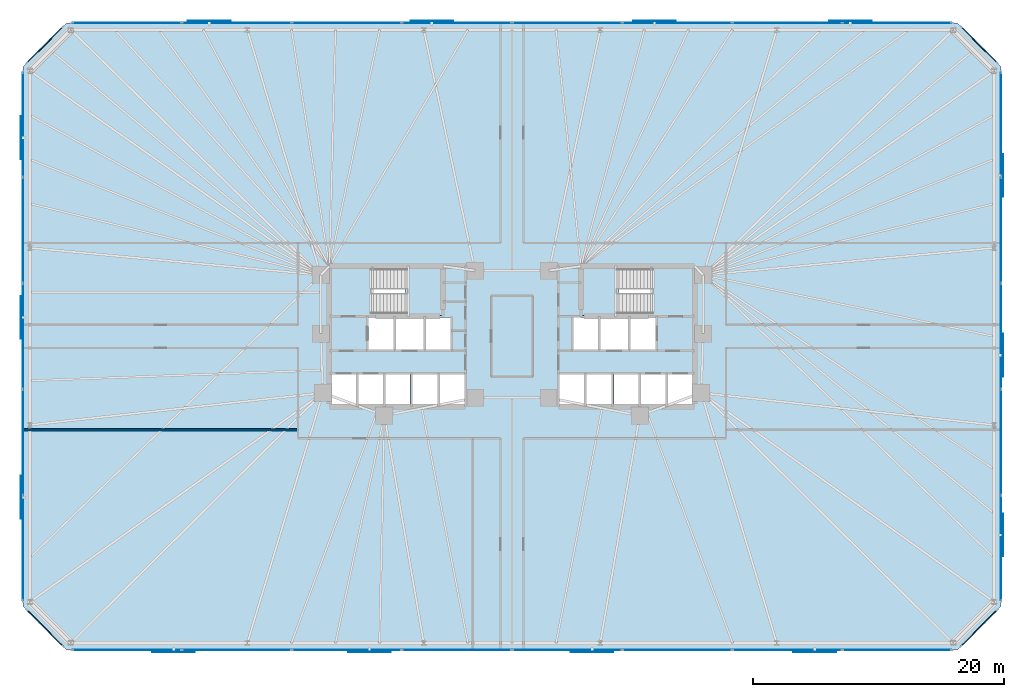
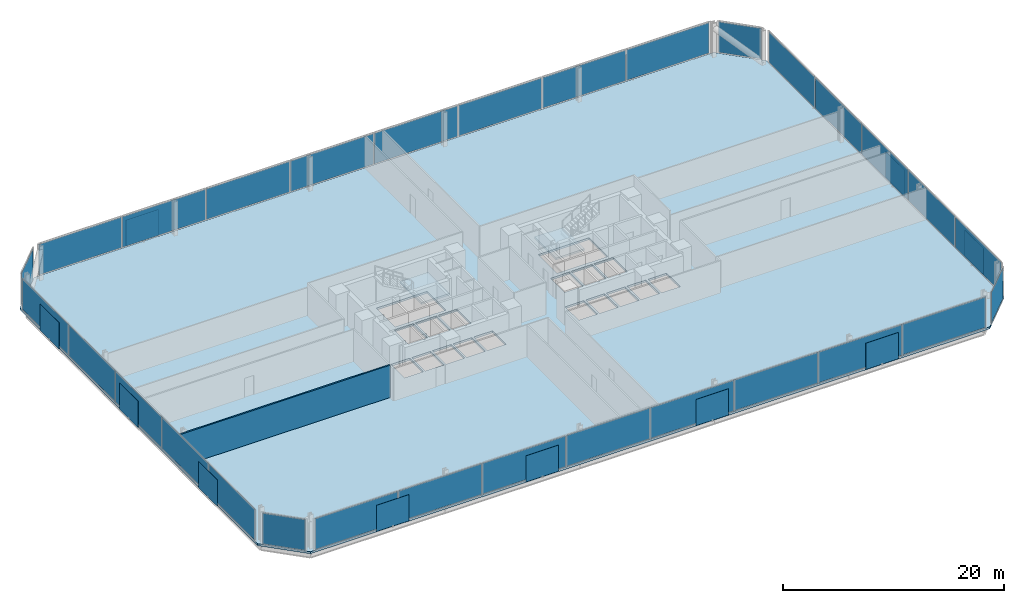
# One storey, part 11 of 16: 44 plates, 3 slabs, 1 wall, 10 elements without a shape of their own.
"""IFC4 building model written with IfcOpenShell, lengths in metres."""

from ifc_helpers import new_model, si_unit, direction, frame, frame_2d, origin, origin_2d, place, context, subcontext, project, spatial, polyline, rectangle, outline, extrude, material, layer, layer_set, type_object, element, aggregate, save


model = new_model("IFC4")

# Units and contexts
model_context = context("Model", 3, precision=1e-05, world=origin(), true_north=direction((0.0, 1.0)))
body_context = subcontext(model_context, "Body", "Model", "MODEL_VIEW")
ifc_project = project(units=[si_unit("LENGTHUNIT", "METRE"), si_unit("AREAUNIT", "SQUARE_METRE"), si_unit("VOLUMEUNIT", "CUBIC_METRE"), si_unit("PLANEANGLEUNIT", "RADIAN"), si_unit("MASSUNIT", "GRAM", prefix="KILO")], contexts=[model_context])

# Site, building, storey
site_placement = place(None, origin())
site = spatial("IfcSite", under=ifc_project, at=site_placement, CompositionType="ELEMENT")
building_placement = place(site_placement, origin())
building = spatial("IfcBuilding", under=site, at=building_placement, Name="Menara Jurai Vektor", CompositionType="ELEMENT")
storey_placement = place(building_placement, frame((0.0, 0.0, 67.39990234375)))
storey = spatial("IfcBuildingStorey", under=building, at=storey_placement, Name="L16", CompositionType="ELEMENT", Elevation=67.39990234375)

# Curtain wall, plates
ifc_material_1 = material(Name="Anodised Pale Aluminium & Low-E Double Glazing", Category="aluminium")
curtain_wall_type = type_object("IfcCurtainWallType", Name="CW-BLK1", PredefinedType="NOTDEFINED", material=ifc_material_1)
curtain_wall_1_placement = place(storey_placement, origin())
curtain_wall_1 = element("IfcCurtainWall", 1, at=curtain_wall_1_placement, inside=storey, type_object=curtain_wall_type, Name="Unitised Curtain Wall L16 F01", PredefinedType="NOTDEFINED")
ifc_material_2 = material(Name="Low-E Solar-Control Double Glazed Unit", Category="glass")
ifc_layer_1 = layer(ifc_material_2, 0.035888671875)
ifc_layer_set_1 = layer_set([ifc_layer_1], Name="Low-E Solar-Control Double Glazed Unit")
plate_type_1 = type_object("IfcPlateType", Name="CW-BLK1-PNL", PredefinedType="CURTAIN_PANEL", material=ifc_layer_set_1)
plate_1_placement = place(storey_placement, frame((-30.706298828125, -25.0, 0.09521484375), z_axis=(0.0, 0.0, 1.0), x_axis=(1.0, 0.0, 0.0)))
plate_1 = element("IfcPlate", 2, at=plate_1_placement, type_object=plate_type_1, Name="CW-01 panel 1.1", PredefinedType="CURTAIN_PANEL", context=body_context, shape_type="SweptSolid", body=[
    extrude(rectangle(XDim=8.637451171875, YDim=0.035888671875, at=origin_2d()), origin(), (0.0, 0.0, 1.0), 3.385009765625),
])
plate_2_placement = place(storey_placement, frame((-21.949951171875, -25.0, 0.09521484375), z_axis=(0.0, 0.0, 1.0), x_axis=(1.0, 0.0, 0.0)))
plate_2 = element("IfcPlate", 3, at=plate_2_placement, type_object=plate_type_1, Name="CW-01 panel 2.1", PredefinedType="CURTAIN_PANEL", context=body_context, shape_type="SweptSolid", body=[
    extrude(rectangle(XDim=8.68505859375, YDim=0.035888671875, at=origin_2d()), origin(), (0.0, 0.0, 1.0), 3.385009765625),
])
plate_3_placement = place(storey_placement, frame((-13.169921875, -25.0, 0.09521484375), z_axis=(0.0, 0.0, 1.0), x_axis=(1.0, 0.0, 0.0)))
plate_3 = element("IfcPlate", 4, at=plate_3_placement, type_object=plate_type_1, Name="CW-01 panel 3.1", PredefinedType="CURTAIN_PANEL", context=body_context, shape_type="SweptSolid", body=[
    extrude(rectangle(XDim=8.68505859375, YDim=0.035888671875, at=origin_2d()), origin(), (0.0, 0.0, 1.0), 3.385009765625),
])
plate_4_placement = place(storey_placement, frame((-4.389892578125, -25.0, 0.09521484375), z_axis=(0.0, 0.0, 1.0), x_axis=(1.0, 0.0, 0.0)))
plate_4 = element("IfcPlate", 5, at=plate_4_placement, type_object=plate_type_1, Name="CW-01 panel 4.1", PredefinedType="CURTAIN_PANEL", context=body_context, shape_type="SweptSolid", body=[
    extrude(rectangle(XDim=8.68505859375, YDim=0.035888671875, at=origin_2d()), origin(), (0.0, 0.0, 1.0), 3.385009765625),
])
plate_5_placement = place(storey_placement, frame((4.389892578125, -25.0, 0.09521484375), z_axis=(0.0, 0.0, 1.0), x_axis=(1.0, 0.0, 0.0)))
plate_5 = element("IfcPlate", 6, at=plate_5_placement, type_object=plate_type_1, Name="CW-01 panel 5.1", PredefinedType="CURTAIN_PANEL", context=body_context, shape_type="SweptSolid", body=[
    extrude(rectangle(XDim=8.68505859375, YDim=0.035888671875, at=origin_2d()), origin(), (0.0, 0.0, 1.0), 3.385009765625),
])
plate_6_placement = place(storey_placement, frame((13.169921875, -25.0, 0.09521484375), z_axis=(0.0, 0.0, 1.0), x_axis=(1.0, 0.0, 0.0)))
plate_6 = element("IfcPlate", 7, at=plate_6_placement, type_object=plate_type_1, Name="CW-01 panel 6.1", PredefinedType="CURTAIN_PANEL", context=body_context, shape_type="SweptSolid", body=[
    extrude(rectangle(XDim=8.68505859375, YDim=0.035888671875, at=origin_2d()), origin(), (0.0, 0.0, 1.0), 3.385009765625),
])
plate_7_placement = place(storey_placement, frame((21.949951171875, -25.0, 0.09521484375), z_axis=(0.0, 0.0, 1.0), x_axis=(1.0, 0.0, 0.0)))
plate_7 = element("IfcPlate", 8, at=plate_7_placement, type_object=plate_type_1, Name="CW-01 panel 7.1", PredefinedType="CURTAIN_PANEL", context=body_context, shape_type="SweptSolid", body=[
    extrude(rectangle(XDim=8.68505859375, YDim=0.035888671875, at=origin_2d()), origin(), (0.0, 0.0, 1.0), 3.385009765625),
])
plate_8_placement = place(storey_placement, frame((30.706298828125, -25.0, 0.09521484375), z_axis=(0.0, 0.0, 1.0), x_axis=(1.0, 0.0, 0.0)))
plate_8 = element("IfcPlate", 9, at=plate_8_placement, type_object=plate_type_1, Name="CW-01 panel 8.1", PredefinedType="CURTAIN_PANEL", context=body_context, shape_type="SweptSolid", body=[
    extrude(rectangle(XDim=8.637451171875, YDim=0.035888671875, at=origin_2d()), origin(), (0.0, 0.0, 1.0), 3.385009765625),
])
aggregate(curtain_wall_1, [plate_1, plate_2, plate_3, plate_4, plate_5, plate_6, plate_7, plate_8])

curtain_wall_2_placement = place(storey_placement, origin())
curtain_wall_2 = element("IfcCurtainWall", 10, at=curtain_wall_2_placement, inside=storey, type_object=curtain_wall_type, Name="Unitised Curtain Wall L16 F03", PredefinedType="NOTDEFINED")
plate_9_placement = place(storey_placement, frame((39.0, -16.872314453125, 0.09521484375), z_axis=(0.0, 0.0, 1.0), x_axis=(0.0, 1.0, 0.0)))
plate_9 = element("IfcPlate", 11, at=plate_9_placement, type_object=plate_type_1, Name="CW-01 panel 1.1", PredefinedType="CURTAIN_PANEL", context=body_context, shape_type="SweptSolid", body=[
    extrude(rectangle(XDim=8.305419921875, YDim=0.035888671875, at=origin_2d()), origin(), (0.0, 0.0, 1.0), 3.385009765625),
])
plate_10_placement = place(storey_placement, frame((39.0, -8.447998046875, 0.09521484375), z_axis=(0.0, 0.0, 1.0), x_axis=(0.0, 1.0, 0.0)))
plate_10 = element("IfcPlate", 12, at=plate_10_placement, type_object=plate_type_1, Name="CW-01 panel 2.1", PredefinedType="CURTAIN_PANEL", context=body_context, shape_type="SweptSolid", body=[
    extrude(rectangle(XDim=8.35302734375, YDim=0.035888671875, at=origin_2d()), origin(), (0.0, 0.0, 1.0), 3.385009765625),
])
plate_11_placement = place(storey_placement, frame((39.0, 0.0, 0.09521484375), z_axis=(0.0, 0.0, 1.0), x_axis=(0.0, 1.0, 0.0)))
plate_11 = element("IfcPlate", 13, at=plate_11_placement, type_object=plate_type_1, Name="CW-01 panel 3.1", PredefinedType="CURTAIN_PANEL", context=body_context, shape_type="SweptSolid", body=[
    extrude(rectangle(XDim=8.35302734375, YDim=0.035888671875, at=origin_2d()), origin(), (0.0, 0.0, 1.0), 3.385009765625),
])
plate_12_placement = place(storey_placement, frame((39.0, 8.447998046875, 0.09521484375), z_axis=(0.0, 0.0, 1.0), x_axis=(0.0, 1.0, 0.0)))
plate_12 = element("IfcPlate", 14, at=plate_12_placement, type_object=plate_type_1, Name="CW-01 panel 4.1", PredefinedType="CURTAIN_PANEL", context=body_context, shape_type="SweptSolid", body=[
    extrude(rectangle(XDim=8.35302734375, YDim=0.035888671875, at=origin_2d()), origin(), (0.0, 0.0, 1.0), 3.385009765625),
])
plate_13_placement = place(storey_placement, frame((39.0, 16.872314453125, 0.09521484375), z_axis=(0.0, 0.0, 1.0), x_axis=(0.0, 1.0, 0.0)))
plate_13 = element("IfcPlate", 15, at=plate_13_placement, type_object=plate_type_1, Name="CW-01 panel 5.1", PredefinedType="CURTAIN_PANEL", context=body_context, shape_type="SweptSolid", body=[
    extrude(rectangle(XDim=8.305419921875, YDim=0.035888671875, at=origin_2d()), origin(), (0.0, 0.0, 1.0), 3.385009765625),
])
aggregate(curtain_wall_2, [plate_9, plate_10, plate_11, plate_12, plate_13])

curtain_wall_3_placement = place(storey_placement, origin())
curtain_wall_3 = element("IfcCurtainWall", 16, at=curtain_wall_3_placement, inside=storey, type_object=curtain_wall_type, Name="Unitised Curtain Wall L16 F05", PredefinedType="NOTDEFINED")
plate_14_placement = place(storey_placement, frame((30.706298828125, 25.0, 0.09521484375), z_axis=(0.0, 0.0, 1.0), x_axis=(-1.0, 0.0, 0.0)))
plate_14 = element("IfcPlate", 17, at=plate_14_placement, type_object=plate_type_1, Name="CW-01 panel 1.1", PredefinedType="CURTAIN_PANEL", context=body_context, shape_type="SweptSolid", body=[
    extrude(rectangle(XDim=8.637451171875, YDim=0.035888671875, at=origin_2d()), origin(), (0.0, 0.0, 1.0), 3.385009765625),
])
plate_15_placement = place(storey_placement, frame((21.949951171875, 25.0, 0.09521484375), z_axis=(0.0, 0.0, 1.0), x_axis=(-1.0, 0.0, 0.0)))
plate_15 = element("IfcPlate", 18, at=plate_15_placement, type_object=plate_type_1, Name="CW-01 panel 2.1", PredefinedType="CURTAIN_PANEL", context=body_context, shape_type="SweptSolid", body=[
    extrude(rectangle(XDim=8.68505859375, YDim=0.035888671875, at=origin_2d()), origin(), (0.0, 0.0, 1.0), 3.385009765625),
])
plate_16_placement = place(storey_placement, frame((13.169921875, 25.0, 0.09521484375), z_axis=(0.0, 0.0, 1.0), x_axis=(-1.0, 0.0, 0.0)))
plate_16 = element("IfcPlate", 19, at=plate_16_placement, type_object=plate_type_1, Name="CW-01 panel 3.1", PredefinedType="CURTAIN_PANEL", context=body_context, shape_type="SweptSolid", body=[
    extrude(rectangle(XDim=8.68505859375, YDim=0.035888671875, at=origin_2d()), origin(), (0.0, 0.0, 1.0), 3.385009765625),
])
plate_17_placement = place(storey_placement, frame((4.389892578125, 25.0, 0.09521484375), z_axis=(0.0, 0.0, 1.0), x_axis=(-1.0, 0.0, 0.0)))
plate_17 = element("IfcPlate", 20, at=plate_17_placement, type_object=plate_type_1, Name="CW-01 panel 4.1", PredefinedType="CURTAIN_PANEL", context=body_context, shape_type="SweptSolid", body=[
    extrude(rectangle(XDim=8.68505859375, YDim=0.035888671875, at=origin_2d()), origin(), (0.0, 0.0, 1.0), 3.385009765625),
])
plate_18_placement = place(storey_placement, frame((-4.389892578125, 25.0, 0.09521484375), z_axis=(0.0, 0.0, 1.0), x_axis=(-1.0, 0.0, 0.0)))
plate_18 = element("IfcPlate", 21, at=plate_18_placement, type_object=plate_type_1, Name="CW-01 panel 5.1", PredefinedType="CURTAIN_PANEL", context=body_context, shape_type="SweptSolid", body=[
    extrude(rectangle(XDim=8.68505859375, YDim=0.035888671875, at=origin_2d()), origin(), (0.0, 0.0, 1.0), 3.385009765625),
])
plate_19_placement = place(storey_placement, frame((-13.169921875, 25.0, 0.09521484375), z_axis=(0.0, 0.0, 1.0), x_axis=(-1.0, 0.0, 0.0)))
plate_19 = element("IfcPlate", 22, at=plate_19_placement, type_object=plate_type_1, Name="CW-01 panel 6.1", PredefinedType="CURTAIN_PANEL", context=body_context, shape_type="SweptSolid", body=[
    extrude(rectangle(XDim=8.68505859375, YDim=0.035888671875, at=origin_2d()), origin(), (0.0, 0.0, 1.0), 3.385009765625),
])
plate_20_placement = place(storey_placement, frame((-21.949951171875, 25.0, 0.09521484375), z_axis=(0.0, 0.0, 1.0), x_axis=(-1.0, 0.0, 0.0)))
plate_20 = element("IfcPlate", 23, at=plate_20_placement, type_object=plate_type_1, Name="CW-01 panel 7.1", PredefinedType="CURTAIN_PANEL", context=body_context, shape_type="SweptSolid", body=[
    extrude(rectangle(XDim=8.68505859375, YDim=0.035888671875, at=origin_2d()), origin(), (0.0, 0.0, 1.0), 3.385009765625),
])
plate_21_placement = place(storey_placement, frame((-30.706298828125, 25.0, 0.09521484375), z_axis=(0.0, 0.0, 1.0), x_axis=(-1.0, 0.0, 0.0)))
plate_21 = element("IfcPlate", 24, at=plate_21_placement, type_object=plate_type_1, Name="CW-01 panel 8.1", PredefinedType="CURTAIN_PANEL", context=body_context, shape_type="SweptSolid", body=[
    extrude(rectangle(XDim=8.637451171875, YDim=0.035888671875, at=origin_2d()), origin(), (0.0, 0.0, 1.0), 3.385009765625),
])
aggregate(curtain_wall_3, [plate_14, plate_15, plate_16, plate_17, plate_18, plate_19, plate_20, plate_21])

curtain_wall_4_placement = place(storey_placement, origin())
curtain_wall_4 = element("IfcCurtainWall", 25, at=curtain_wall_4_placement, inside=storey, type_object=curtain_wall_type, Name="Unitised Curtain Wall L16 F07", PredefinedType="NOTDEFINED")
plate_22_placement = place(storey_placement, frame((-39.0, 16.872314453125, 0.09521484375), z_axis=(0.0, 0.0, 1.0), x_axis=(0.0, -1.0, 0.0)))
plate_22 = element("IfcPlate", 26, at=plate_22_placement, type_object=plate_type_1, Name="CW-01 panel 1.1", PredefinedType="CURTAIN_PANEL", context=body_context, shape_type="SweptSolid", body=[
    extrude(rectangle(XDim=8.305419921875, YDim=0.035888671875, at=origin_2d()), origin(), (0.0, 0.0, 1.0), 3.385009765625),
])
plate_23_placement = place(storey_placement, frame((-39.0, 8.447998046875, 0.09521484375), z_axis=(0.0, 0.0, 1.0), x_axis=(0.0, -1.0, 0.0)))
plate_23 = element("IfcPlate", 27, at=plate_23_placement, type_object=plate_type_1, Name="CW-01 panel 2.1", PredefinedType="CURTAIN_PANEL", context=body_context, shape_type="SweptSolid", body=[
    extrude(rectangle(XDim=8.35302734375, YDim=0.035888671875, at=origin_2d()), origin(), (0.0, 0.0, 1.0), 3.385009765625),
])
plate_24_placement = place(storey_placement, frame((-39.0, 0.0, 0.09521484375), z_axis=(0.0, 0.0, 1.0), x_axis=(0.0, -1.0, 0.0)))
plate_24 = element("IfcPlate", 28, at=plate_24_placement, type_object=plate_type_1, Name="CW-01 panel 3.1", PredefinedType="CURTAIN_PANEL", context=body_context, shape_type="SweptSolid", body=[
    extrude(rectangle(XDim=8.35302734375, YDim=0.035888671875, at=origin_2d()), origin(), (0.0, 0.0, 1.0), 3.385009765625),
])
plate_25_placement = place(storey_placement, frame((-39.0, -8.447998046875, 0.09521484375), z_axis=(0.0, 0.0, 1.0), x_axis=(0.0, -1.0, 0.0)))
plate_25 = element("IfcPlate", 29, at=plate_25_placement, type_object=plate_type_1, Name="CW-01 panel 4.1", PredefinedType="CURTAIN_PANEL", context=body_context, shape_type="SweptSolid", body=[
    extrude(rectangle(XDim=8.35302734375, YDim=0.035888671875, at=origin_2d()), origin(), (0.0, 0.0, 1.0), 3.385009765625),
])
plate_26_placement = place(storey_placement, frame((-39.0, -16.872314453125, 0.09521484375), z_axis=(0.0, 0.0, 1.0), x_axis=(0.0, -1.0, 0.0)))
plate_26 = element("IfcPlate", 30, at=plate_26_placement, type_object=plate_type_1, Name="CW-01 panel 5.1", PredefinedType="CURTAIN_PANEL", context=body_context, shape_type="SweptSolid", body=[
    extrude(rectangle(XDim=8.305419921875, YDim=0.035888671875, at=origin_2d()), origin(), (0.0, 0.0, 1.0), 3.385009765625),
])
aggregate(curtain_wall_4, [plate_22, plate_23, plate_24, plate_25, plate_26])

# Curtain wall, plate
curtain_wall_5_placement = place(storey_placement, origin())
curtain_wall_5 = element("IfcCurtainWall", 31, at=curtain_wall_5_placement, inside=storey, type_object=curtain_wall_type, Name="Unitised Curtain Wall L16 F02", PredefinedType="NOTDEFINED")
ifc_material_3 = material(Name="Insulated Pale Aluminium Spandrel Panel", Category="aluminium")
ifc_layer_2 = layer(ifc_material_3, 0.06005859375)
ifc_layer_set_2 = layer_set([ifc_layer_2], Name="Insulated Pale Aluminium Spandrel Panel")
plate_type_2 = type_object("IfcPlateType", Name="CW-PNL-SP", PredefinedType="CURTAIN_PANEL", material=ifc_layer_set_2)
plate_27_placement = place(storey_placement, frame((37.25, -23.25, 0.09521484375), z_axis=(0.0, 0.0, 1.0), x_axis=(0.707106781187, 0.707106781187, 0.0)))
plate_27 = element("IfcPlate", 32, at=plate_27_placement, type_object=plate_type_2, Name="CW-01 panel 1.1", PredefinedType="CURTAIN_PANEL", context=body_context, shape_type="SweptSolid", body=[
    extrude(rectangle(XDim=3.999755859375, YDim=0.06005859375, at=origin_2d()), origin(), (0.0, 0.0, 1.0), 3.385009765625),
])
aggregate(curtain_wall_5, [plate_27])

curtain_wall_6_placement = place(storey_placement, origin())
curtain_wall_6 = element("IfcCurtainWall", 33, at=curtain_wall_6_placement, inside=storey, type_object=curtain_wall_type, Name="Unitised Curtain Wall L16 F04", PredefinedType="NOTDEFINED")
plate_28_placement = place(storey_placement, frame((37.25, 23.25, 0.09521484375), z_axis=(0.0, 0.0, 1.0), x_axis=(-0.707106781187, 0.707106781187, 0.0)))
plate_28 = element("IfcPlate", 34, at=plate_28_placement, type_object=plate_type_2, Name="CW-01 panel 1.1", PredefinedType="CURTAIN_PANEL", context=body_context, shape_type="SweptSolid", body=[
    extrude(rectangle(XDim=3.999755859375, YDim=0.06005859375, at=origin_2d()), origin(), (0.0, 0.0, 1.0), 3.385009765625),
])
aggregate(curtain_wall_6, [plate_28])

curtain_wall_7_placement = place(storey_placement, origin())
curtain_wall_7 = element("IfcCurtainWall", 35, at=curtain_wall_7_placement, inside=storey, type_object=curtain_wall_type, Name="Unitised Curtain Wall L16 F06", PredefinedType="NOTDEFINED")
plate_29_placement = place(storey_placement, frame((-37.25, 23.25, 0.09521484375), z_axis=(0.0, 0.0, 1.0), x_axis=(-0.707106781187, -0.707106781187, 0.0)))
plate_29 = element("IfcPlate", 36, at=plate_29_placement, type_object=plate_type_2, Name="CW-01 panel 1.1", PredefinedType="CURTAIN_PANEL", context=body_context, shape_type="SweptSolid", body=[
    extrude(rectangle(XDim=3.999755859375, YDim=0.06005859375, at=origin_2d()), origin(), (0.0, 0.0, 1.0), 3.385009765625),
])
aggregate(curtain_wall_7, [plate_29])

curtain_wall_8_placement = place(storey_placement, origin())
curtain_wall_8 = element("IfcCurtainWall", 37, at=curtain_wall_8_placement, inside=storey, type_object=curtain_wall_type, Name="Unitised Curtain Wall L16 F08", PredefinedType="NOTDEFINED")
plate_30_placement = place(storey_placement, frame((-37.25, -23.25, 0.09521484375), z_axis=(0.0, 0.0, 1.0), x_axis=(0.707106781187, -0.707106781187, 0.0)))
plate_30 = element("IfcPlate", 38, at=plate_30_placement, type_object=plate_type_2, Name="CW-01 panel 1.1", PredefinedType="CURTAIN_PANEL", context=body_context, shape_type="SweptSolid", body=[
    extrude(rectangle(XDim=3.999755859375, YDim=0.06005859375, at=origin_2d()), origin(), (0.0, 0.0, 1.0), 3.385009765625),
])
aggregate(curtain_wall_8, [plate_30])

# Plates
ifc_material_4 = material(Name="Anodised Pale Aluminium Perforated Screen", Category="aluminium")
ifc_layer_3 = layer(ifc_material_4, 0.02392578125)
ifc_layer_set_3 = layer_set([ifc_layer_3], Name="Anodised Pale Aluminium Perforated Screen")
plate_type_3 = type_object("IfcPlateType", Name="ENV-PLT-SCREEN", PredefinedType="USERDEFINED", material=ifc_layer_set_3)
for number, where, z_axis, x_axis, name in (
    (39, (-26.97998046875, -25.159912109375, -0.0498046875), (0.0, 0.0, 1.0), (1.0, 0.0, 0.0), "Perforated Pale-Metal Solar Screen L16-S01"),
    (40, (-11.360107421875, -25.159912109375, -0.0498046875), (0.0, 0.0, 1.0), (1.0, 0.0, 0.0), "Perforated Pale-Metal Solar Screen L16-S02"),
    (41, (6.389892578125, -25.159912109375, -0.0498046875), (0.0, 0.0, 1.0), (1.0, 0.0, 0.0), "Perforated Pale-Metal Solar Screen L16-S03"),
    (42, (24.139892578125, -25.159912109375, -0.0498046875), (0.0, 0.0, 1.0), (1.0, 0.0, 0.0), "Perforated Pale-Metal Solar Screen L16-S04"),
    (43, (39.159912109375, -15.83837890625, -0.0498046875), (0.0, 0.0, 1.0), (0.0, 1.0, 0.0), "Perforated Pale-Metal Solar Screen L16-S05"),
    (44, (39.159912109375, -1.5048828125, -0.0498046875), (0.0, 0.0, 1.0), (0.0, 1.0, 0.0), "Perforated Pale-Metal Solar Screen L16-S06"),
    (45, (39.159912109375, 12.828369140625, -0.0498046875), (0.0, 0.0, 1.0), (0.0, 1.0, 0.0), "Perforated Pale-Metal Solar Screen L16-S07"),
    (46, (26.97998046875, 25.159912109375, -0.0498046875), (0.0, 0.0, 1.0), (-1.0, 0.0, 0.0), "Perforated Pale-Metal Solar Screen L16-S08"),
    (47, (11.360107421875, 25.159912109375, -0.0498046875), (0.0, 0.0, 1.0), (-1.0, 0.0, 0.0), "Perforated Pale-Metal Solar Screen L16-S09"),
    (48, (-6.389892578125, 25.159912109375, -0.0498046875), (0.0, 0.0, 1.0), (-1.0, 0.0, 0.0), "Perforated Pale-Metal Solar Screen L16-S10"),
    (49, (-24.139892578125, 25.159912109375, -0.0498046875), (0.0, 0.0, 1.0), (-1.0, 0.0, 0.0), "Perforated Pale-Metal Solar Screen L16-S11"),
    (50, (-39.159912109375, 15.83837890625, -0.0498046875), (0.0, 0.0, 1.0), (0.0, -1.0, 0.0), "Perforated Pale-Metal Solar Screen L16-S12"),
    (51, (-39.159912109375, 1.5048828125, -0.0498046875), (0.0, 0.0, 1.0), (0.0, -1.0, 0.0), "Perforated Pale-Metal Solar Screen L16-S13"),
    (52, (-39.159912109375, -12.828369140625, -0.0498046875), (0.0, 0.0, 1.0), (0.0, -1.0, 0.0), "Perforated Pale-Metal Solar Screen L16-S14"),
):
    element("IfcPlate", number, at=place(storey_placement, frame(where, z_axis=z_axis, x_axis=x_axis)), inside=storey, type_object=plate_type_3, Name=name, ObjectType="SCREEN", PredefinedType="USERDEFINED", context=body_context, shape_type="SweptSolid", body=[
        extrude(rectangle(XDim=3.39990234375, YDim=0.02392578125, at=origin_2d()), origin(), (0.0, 0.0, 1.0), 2.89990234375),
    ])

# Stair, slab
ifc_material_5 = material(Name="Concrete C40/50", Category="concrete")
stair_type = type_object("IfcStairType", Name="STAIR-DOGLEG-1500", PredefinedType="HALF_TURN_STAIR", material=ifc_material_5)
stair_1_placement = place(storey_placement, origin())
stair_1 = element("IfcStair", 53, at=stair_1_placement, inside=storey, type_object=stair_type, Name="Protected Exit Stair ST1 L16", PredefinedType="HALF_TURN_STAIR")
ifc_layer_4 = layer(ifc_material_5, 0.199951171875)
ifc_layer_set_4 = layer_set([ifc_layer_4], Name="Concrete C40/50")
slab_type_1 = type_object("IfcSlabType", Name="STAIR-LANDING-200", PredefinedType="LANDING", material=ifc_layer_set_4)
slab_1_placement = place(storey_placement, frame((0.0, 0.0, 1.7001953125)))
slab_1 = element("IfcSlab", 54, at=slab_1_placement, type_object=slab_type_1, Name="ST1 landing 1", PredefinedType="LANDING", context=body_context, shape_type="SweptSolid", body=[
    extrude(outline(polyline([(-8.52001953125, 1.64990234375), (-5.550048828125, 1.64990234375), (-5.550048828125, 5.550048828125), (-8.52001953125, 5.550048828125), (-8.52001953125, 1.64990234375)])), origin(), (0.0, 0.0, 1.0), 0.199951171875),
])
aggregate(stair_1, [slab_1])

stair_2_placement = place(storey_placement, origin())
stair_2 = element("IfcStair", 55, at=stair_2_placement, inside=storey, type_object=stair_type, Name="Protected Exit Stair ST2 L16", PredefinedType="HALF_TURN_STAIR")
slab_2_placement = place(storey_placement, frame((0.0, 0.0, 1.7001953125)))
slab_2 = element("IfcSlab", 56, at=slab_2_placement, type_object=slab_type_1, Name="ST2 landing 1", PredefinedType="LANDING", context=body_context, shape_type="SweptSolid", body=[
    extrude(outline(polyline([(5.550048828125, 1.64990234375), (8.52001953125, 1.64990234375), (8.52001953125, 5.550048828125), (5.550048828125, 5.550048828125), (5.550048828125, 1.64990234375)])), origin(), (0.0, 0.0, 1.0), 0.199951171875),
])
aggregate(stair_2, [slab_2])

# Slab
ifc_layer_5 = layer(ifc_material_5, 0.22509765625)
ifc_layer_set_5 = layer_set([ifc_layer_5], Name="Concrete C40/50")
slab_type_2 = type_object("IfcSlabType", Name="STR-SLAB-TYP200", PredefinedType="FLOOR", material=ifc_layer_set_5)
slab_3_placement = place(storey_placement, frame((0.0, 0.0, -0.224853515625)))
element("IfcSlab", 57, at=slab_3_placement, inside=storey, type_object=slab_type_2, Name="Composite Floor Slab L16", PredefinedType="FLOOR", context=body_context, shape_type="SweptSolid", body=[
    extrude(outline(polyline([(-35.5, -25.0), (35.5, -25.0), (39.0, -21.5), (39.0, 21.5), (35.5, 25.0), (-35.5, 25.0), (-39.0, 21.5), (-39.0, -21.5), (-35.5, -25.0)]), holes=[polyline([(-11.10009765625, 1.89990234375), (-11.10009765625, 5.300048828125), (-5.800048828125, 5.300048828125), (-5.800048828125, 1.89990234375), (-11.10009765625, 1.89990234375)]), polyline([(5.800048828125, 1.89990234375), (5.800048828125, 5.300048828125), (11.10009765625, 5.300048828125), (11.10009765625, 1.89990234375), (5.800048828125, 1.89990234375)]), polyline([(-11.449951171875, -1.050048828125), (-11.449951171875, 1.5), (-9.449951171875, 1.5), (-9.449951171875, -1.050048828125), (-11.449951171875, -1.050048828125)]), polyline([(9.449951171875, -1.050048828125), (9.449951171875, 1.5), (11.449951171875, 1.5), (11.449951171875, -1.050048828125), (9.449951171875, -1.050048828125)]), polyline([(-5.760009765625, -5.5), (-5.760009765625, -3.050048828125), (-3.800048828125, -3.050048828125), (-3.800048828125, -5.5), (-5.760009765625, -5.5)]), polyline([(-6.85009765625, -1.050048828125), (-6.85009765625, 1.5), (-4.889892578125, 1.5), (-4.889892578125, -1.050048828125), (-6.85009765625, -1.050048828125)]), polyline([(3.800048828125, -5.5), (3.800048828125, -3.050048828125), (5.760009765625, -3.050048828125), (5.760009765625, -5.5), (3.800048828125, -5.5)]), polyline([(4.889892578125, -1.050048828125), (4.889892578125, 1.5), (6.85009765625, 1.5), (6.85009765625, -1.050048828125), (4.889892578125, -1.050048828125)]), polyline([(-14.39990234375, -5.5), (-14.39990234375, -3.050048828125), (-12.43994140625, -3.050048828125), (-12.43994140625, -5.5), (-14.39990234375, -5.5)]), polyline([(-12.239990234375, -5.5), (-12.239990234375, -3.050048828125), (-10.280029296875, -3.050048828125), (-10.280029296875, -5.5), (-12.239990234375, -5.5)]), polyline([(10.280029296875, -5.5), (10.280029296875, -3.050048828125), (12.239990234375, -3.050048828125), (12.239990234375, -5.5), (10.280029296875, -5.5)]), polyline([(12.43994140625, -5.5), (12.43994140625, -3.050048828125), (14.39990234375, -3.050048828125), (14.39990234375, -5.5), (12.43994140625, -5.5)]), polyline([(-10.080078125, -5.5), (-10.080078125, -3.050048828125), (-8.1201171875, -3.050048828125), (-8.1201171875, -5.5), (-10.080078125, -5.5)]), polyline([(-7.919921875, -5.5), (-7.919921875, -3.050048828125), (-5.9599609375, -3.050048828125), (-5.9599609375, -5.5), (-7.919921875, -5.5)]), polyline([(5.9599609375, -5.5), (5.9599609375, -3.050048828125), (7.919921875, -3.050048828125), (7.919921875, -5.5), (5.9599609375, -5.5)]), polyline([(8.1201171875, -5.5), (8.1201171875, -3.050048828125), (10.080078125, -3.050048828125), (10.080078125, -5.5), (8.1201171875, -5.5)]), polyline([(-9.25, -1.050048828125), (-9.25, 1.5), (-7.050048828125, 1.5), (-7.050048828125, -1.050048828125), (-9.25, -1.050048828125)]), polyline([(7.050048828125, -1.050048828125), (7.050048828125, 1.5), (9.25, 1.5), (9.25, -1.050048828125), (7.050048828125, -1.050048828125)])]), origin(), (0.0, 0.0, 1.0), 0.224853515625),
])

# Wall
ifc_material_6 = material(Name="Gypsum Fireboard Partition", Category="gypsum")
ifc_layer_6 = layer(ifc_material_6, 0.14990234375)
ifc_layer_set_6 = layer_set([ifc_layer_6], Name="Gypsum Fireboard Partition")
wall_type = type_object("IfcWallType", Name="INT-WALL-CORR-150", PredefinedType="PARTITIONING", material=ifc_layer_set_6)
wall_placement = place(storey_placement, frame((-39.0, -7.449951171875, 0.0), z_axis=(0.0, 0.0, 1.0), x_axis=(1.0, 0.0, 0.0)))
element("IfcWall", 58, at=wall_placement, inside=storey, type_object=wall_type, Name="Interior Wall IW-150 L16", PredefinedType="PARTITIONING", context=body_context, shape_type="SweptSolid", body=[
    extrude(rectangle(XDim=21.94091796875, YDim=0.14990234375, at=frame_2d((10.970458984375, 0.0))), origin(), (0.0, 0.0, 1.0), 3.5751953125),
])

save(model, "model.ifc")
